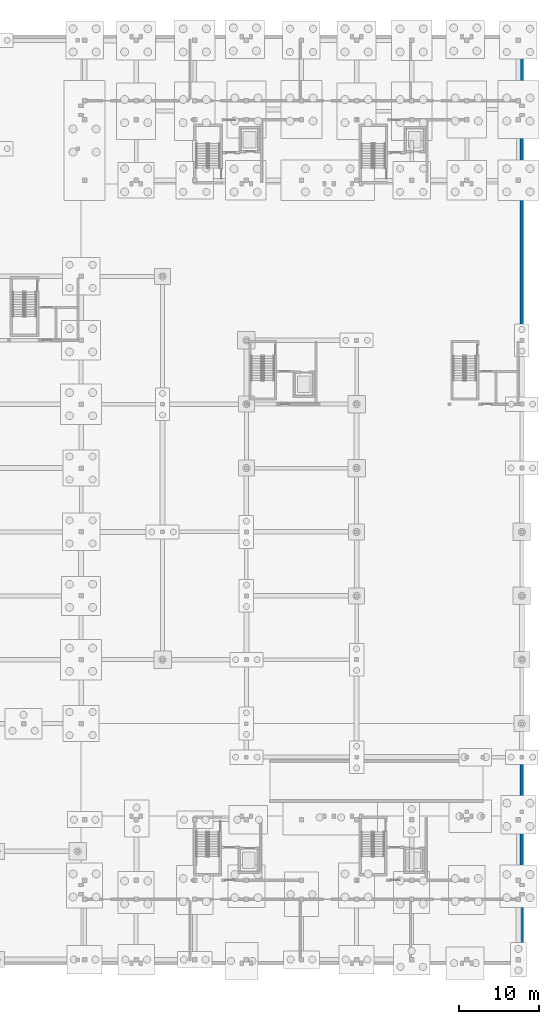
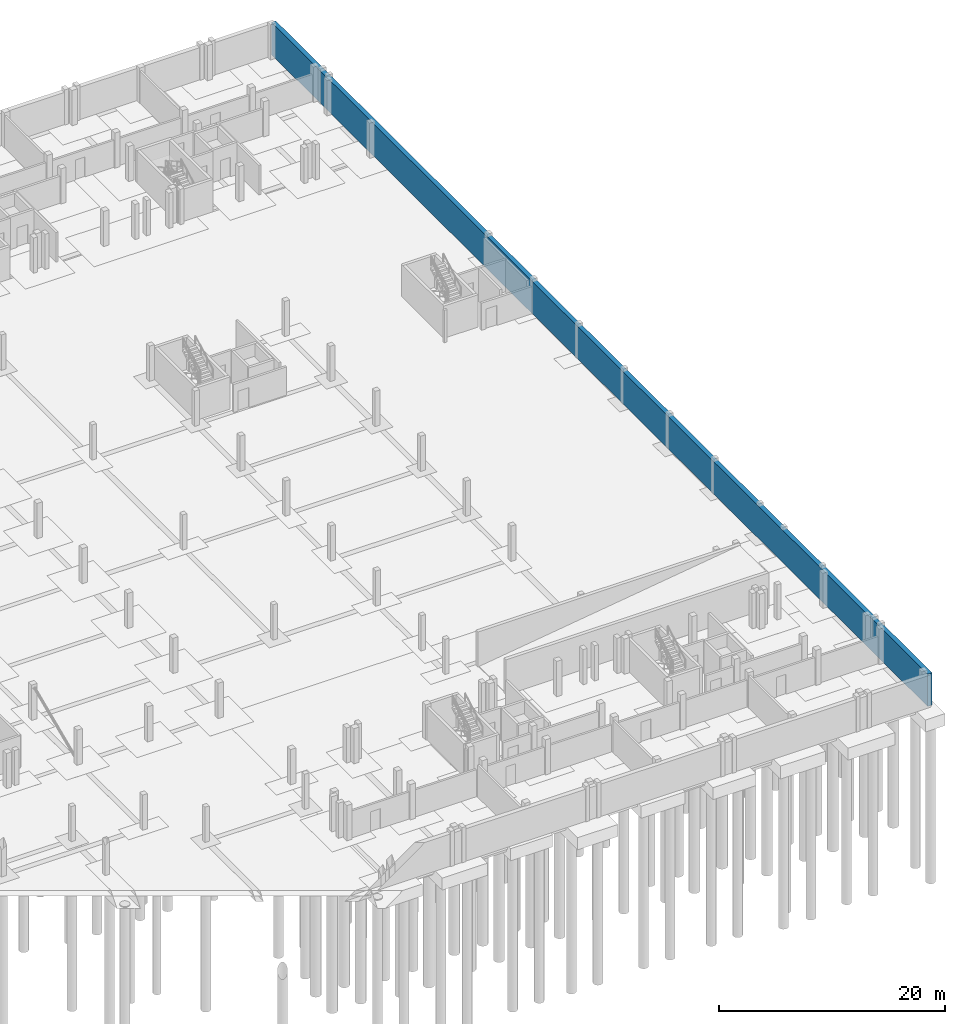
# One storey, part 27 of 38: 1 wall.
"""IFC4 building model written with IfcOpenShell, lengths in metres."""

from ifc_helpers import new_model, si_unit, direction, frame, frame_2d, origin, place, context, subcontext, project, spatial, rectangle, extrude, material, layer, layer_set, type_object, element, save


model = new_model("IFC4")

# Units and contexts
model_context = context("Model", 3, precision=1e-05, world=origin(), true_north=direction((0.0, 1.0)))
body_context = subcontext(model_context, "Body", "Model", "MODEL_VIEW")
ifc_project = project(units=[si_unit("LENGTHUNIT", "METRE"), si_unit("AREAUNIT", "SQUARE_METRE"), si_unit("VOLUMEUNIT", "CUBIC_METRE"), si_unit("PLANEANGLEUNIT", "RADIAN"), si_unit("MASSUNIT", "GRAM", prefix="KILO")], contexts=[model_context])

# Site, building, storey
site_placement = place(None, origin())
site = spatial("IfcSite", under=ifc_project, at=site_placement, CompositionType="ELEMENT")
building_placement = place(site_placement, origin())
building = spatial("IfcBuilding", under=site, at=building_placement, Name="Zavelmont Quarter", CompositionType="ELEMENT")
storey_placement = place(building_placement, frame((0.0, 0.0, -3.800048828125)))
storey = spatial("IfcBuildingStorey", under=building, at=storey_placement, Name="B01", CompositionType="ELEMENT", Elevation=-3.800048828125)

# Wall
ifc_material = material(Name="Concrete C35/45", Category="concrete")
ifc_layer = layer(ifc_material, 0.449951171875)
ifc_layer_set = layer_set([ifc_layer], Name="Concrete C35/45")
wall_type = type_object("IfcWallType", Name="BW01", PredefinedType="STANDARD", material=ifc_layer_set)
wall_placement = place(storey_placement, frame((168.0, 0.0, 0.0), z_axis=(0.0, 0.0, 1.0), x_axis=(0.0, 1.0, 0.0)))
element("IfcWall", 1, at=wall_placement, inside=storey, type_object=wall_type, Name="B01 exterior limestone wall BW01", PredefinedType="STANDARD", context=body_context, shape_type="SweptSolid", body=[
    extrude(rectangle(XDim=116.0, YDim=0.449951171875, at=frame_2d((58.0, 0.0))), origin(), (0.0, 0.0, 1.0), 3.47998046875),
])

save(model, "model.ifc")
